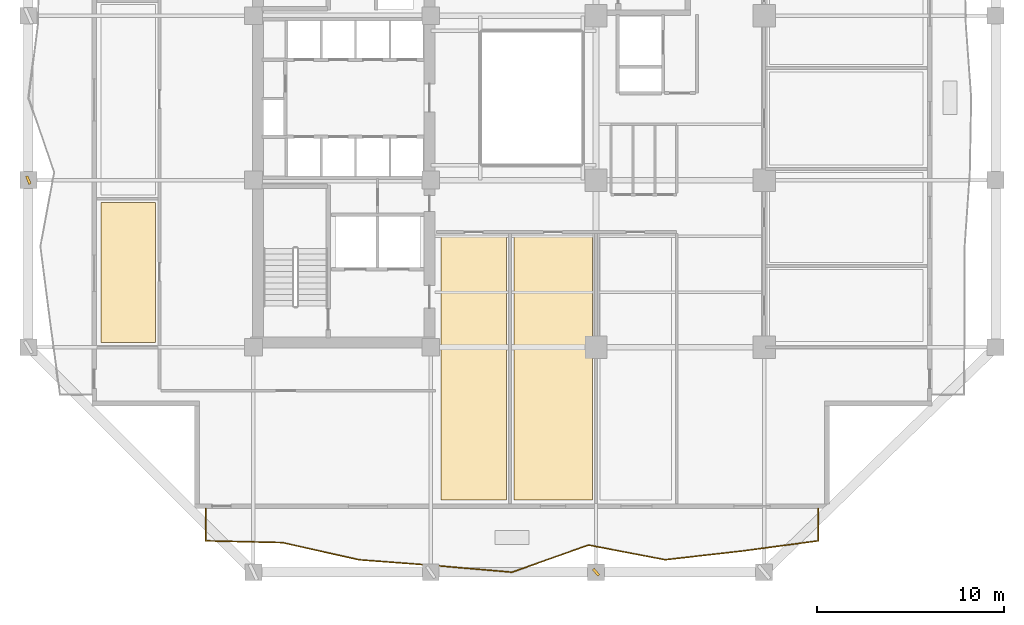
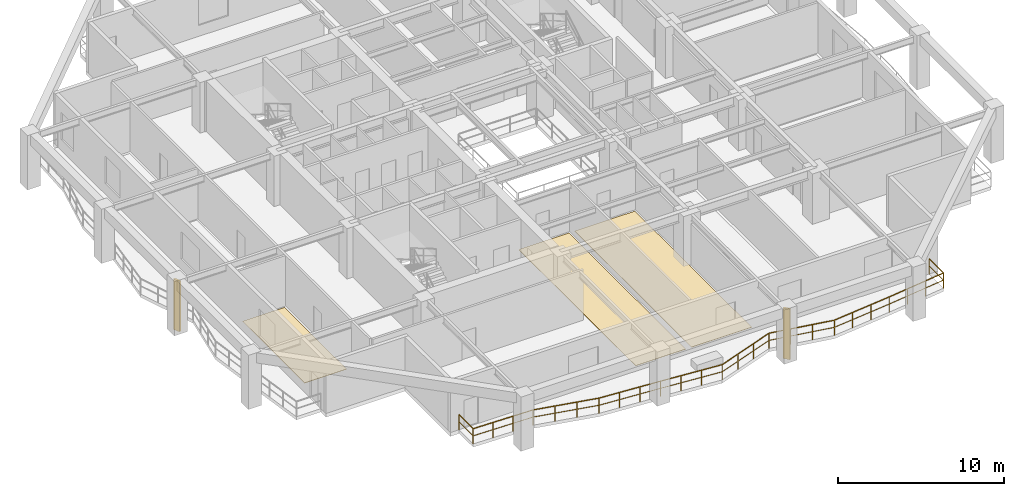
# One storey, part 8 of 13: 3 coverings, 2 shading devices, 1 railing.
"""IFC4 building model written with IfcOpenShell, lengths in metres."""

from ifc_helpers import new_model, si_unit, direction, frame, origin, origin_2d, place, context, subcontext, project, spatial, polyline, rectangle, outline, extrude, material, layer, layer_set, type_object, element, save


model = new_model("IFC4")

# Units and contexts
model_context = context("Model", 3, precision=1e-05, world=origin(), true_north=direction((0.0, 1.0)))
body_context = subcontext(model_context, "Body", "Model", "MODEL_VIEW")
ifc_project = project(units=[si_unit("LENGTHUNIT", "METRE"), si_unit("AREAUNIT", "SQUARE_METRE"), si_unit("VOLUMEUNIT", "CUBIC_METRE"), si_unit("PLANEANGLEUNIT", "RADIAN"), si_unit("MASSUNIT", "GRAM", prefix="KILO")], contexts=[model_context])

# Site, building, storey
site_placement = place(None, origin())
site = spatial("IfcSite", under=ifc_project, at=site_placement, CompositionType="ELEMENT")
building_placement = place(site_placement, origin())
building = spatial("IfcBuilding", under=site, at=building_placement, Name="Kundavana Baori Tower", CompositionType="ELEMENT")
storey_placement = place(building_placement, frame((0.0, 0.0, 58.0)))
storey = spatial("IfcBuildingStorey", under=building, at=storey_placement, Name="L13", CompositionType="ELEMENT", Elevation=58.0)

# Coverings
ifc_material_1 = material(Name="Honed Kota Stone and Terrazzo Flooring", Category="masonry")
ifc_layer = layer(ifc_material_1, 0.030029296875, Name="COV-INT-FLR")
ifc_layer_set = layer_set([ifc_layer], Name="Honed Kota Stone and Terrazzo Flooring")
covering_type = type_object("IfcCoveringType", Name="COV-INT-FLR", PredefinedType="FLOORING", material=ifc_layer_set)
covering_1_placement = place(storey_placement, origin())
element("IfcCovering", 1, at=covering_1_placement, inside=storey, type_object=covering_type, Name="L13 Room Finished Stone Flooring 1", PredefinedType="FLOORING", context=body_context, shape_type="SweptSolid", body=[
    extrude(outline(polyline([(7.280029296875, 15.5), (10.199951171875, 15.5), (10.199951171875, 23.0), (7.280029296875, 23.0), (7.280029296875, 15.5)])), origin(), (0.0, 0.0, 1.0), 0.030029296875),
])
covering_2_placement = place(storey_placement, origin())
element("IfcCovering", 2, at=covering_2_placement, inside=storey, type_object=covering_type, Name="L13 Room Finished Stone Flooring 4", PredefinedType="FLOORING", context=body_context, shape_type="SweptSolid", body=[
    extrude(outline(polyline([(25.5, 7.080078125), (29.0, 7.080078125), (29.0, 21.199951171875), (25.5, 21.199951171875), (25.5, 7.080078125)])), origin(), (0.0, 0.0, 1.0), 0.030029296875),
])
covering_3_placement = place(storey_placement, origin())
element("IfcCovering", 3, at=covering_3_placement, inside=storey, type_object=covering_type, Name="L13 Room Finished Stone Flooring 5", PredefinedType="FLOORING", context=body_context, shape_type="SweptSolid", body=[
    extrude(outline(polyline([(29.39990234375, 7.080078125), (33.60009765625, 7.080078125), (33.60009765625, 21.199951171875), (29.39990234375, 21.199951171875), (29.39990234375, 7.080078125)])), origin(), (0.0, 0.0, 1.0), 0.030029296875),
])

# Railing
ifc_material_2 = material(Name="Architectural Patinated Bronze Metalwork")
railing_type = type_object("IfcRailingType", Name="RL-BAL-1150", PredefinedType="BALUSTRADE", material=ifc_material_2)
railing_placement = place(storey_placement, frame((45.699951171875, 6.60009765625, 0.0)))
element("IfcRailing", 4, at=railing_placement, inside=storey, type_object=railing_type, Name="L13 Loggia Balcony Balustrade S", PredefinedType="BALUSTRADE", context=body_context, shape_type="SweptSolid", body=[
    extrude(rectangle(XDim=0.048095703125, YDim=0.048095703125, at=origin_2d()), frame((0.0, 0.0, 1.1259765625), z_axis=(0.0, -1.0, 0.0), x_axis=(1.0, 0.0, 0.0)), (0.0, 0.0, 1.0), 1.72021484375),
    extrude(rectangle(XDim=0.03125, YDim=0.03125, at=origin_2d()), frame((0.0, 0.0, 0.597900390625), z_axis=(0.0, -1.0, 0.0), x_axis=(1.0, 0.0, 0.0)), (0.0, 0.0, 1.0), 1.72021484375),
    extrude(rectangle(XDim=0.048095703125, YDim=0.048095703125, at=origin_2d()), frame((0.0, -1.72021484375, 1.1259765625), z_axis=(-0.991158691367, -0.132681756577, 0.0), x_axis=(0.132681756577, -0.991158691367, 0.0)), (0.0, 0.0, 1.0), 4.136474609375),
    extrude(rectangle(XDim=0.03125, YDim=0.03125, at=origin_2d()), frame((0.0, -1.72021484375, 0.597900390625), z_axis=(-0.991158691367, -0.132681756577, 0.0), x_axis=(0.132681756577, -0.991158691367, 0.0)), (0.0, 0.0, 1.0), 4.136474609375),
    extrude(rectangle(XDim=0.048095703125, YDim=0.048095703125, at=origin_2d()), frame((-4.099853515625, -2.26904296875, 1.1259765625), z_axis=(-0.993627863206, -0.112710556116, 0.0), x_axis=(0.112710556116, -0.993627863206, 0.0)), (0.0, 0.0, 1.0), 4.12646484375),
    extrude(rectangle(XDim=0.03125, YDim=0.03125, at=origin_2d()), frame((-4.099853515625, -2.26904296875, 0.597900390625), z_axis=(-0.993627863206, -0.112710556116, 0.0), x_axis=(0.112710556116, -0.993627863206, 0.0)), (0.0, 0.0, 1.0), 4.12646484375),
    extrude(rectangle(XDim=0.048095703125, YDim=0.048095703125, at=origin_2d()), frame((-8.199951171875, -2.734130859375, 1.1259765625), z_axis=(-0.98206729237, 0.188530722317, 0.0), x_axis=(-0.188530722317, -0.98206729237, 0.0)), (0.0, 0.0, 1.0), 4.175048828125),
    extrude(rectangle(XDim=0.03125, YDim=0.03125, at=origin_2d()), frame((-8.199951171875, -2.734130859375, 0.597900390625), z_axis=(-0.98206729237, 0.188530722317, 0.0), x_axis=(-0.188530722317, -0.98206729237, 0.0)), (0.0, 0.0, 1.0), 4.175048828125),
    extrude(rectangle(XDim=0.048095703125, YDim=0.048095703125, at=origin_2d()), frame((-12.300048828125, -1.947021484375, 1.1259765625), z_axis=(-0.942548083463, -0.334070517047, 0.0), x_axis=(0.334070517047, -0.942548083463, 0.0)), (0.0, 0.0, 1.0), 4.349853515625),
    extrude(rectangle(XDim=0.03125, YDim=0.03125, at=origin_2d()), frame((-12.300048828125, -1.947021484375, 0.597900390625), z_axis=(-0.942548083463, -0.334070517047, 0.0), x_axis=(0.334070517047, -0.942548083463, 0.0)), (0.0, 0.0, 1.0), 4.349853515625),
    extrude(rectangle(XDim=0.048095703125, YDim=0.048095703125, at=origin_2d()), frame((-16.39990234375, -3.400146484375, 1.1259765625), z_axis=(-0.996273017827, 0.08625586328, 0.0), x_axis=(-0.08625586328, -0.996273017827, 0.0)), (0.0, 0.0, 1.0), 4.115478515625),
    extrude(rectangle(XDim=0.03125, YDim=0.03125, at=origin_2d()), frame((-16.39990234375, -3.400146484375, 0.597900390625), z_axis=(-0.996273017827, 0.08625586328, 0.0), x_axis=(-0.08625586328, -0.996273017827, 0.0)), (0.0, 0.0, 1.0), 4.115478515625),
    extrude(rectangle(XDim=0.048095703125, YDim=0.048095703125, at=origin_2d()), frame((-20.5, -3.045166015625, 1.1259765625), z_axis=(-0.997134617999, 0.075647561682, 0.0), x_axis=(-0.075647561682, -0.997134617999, 0.0)), (0.0, 0.0, 1.0), 4.111572265625),
    extrude(rectangle(XDim=0.03125, YDim=0.03125, at=origin_2d()), frame((-20.5, -3.045166015625, 0.597900390625), z_axis=(-0.997134617999, 0.075647561682, 0.0), x_axis=(-0.075647561682, -0.997134617999, 0.0)), (0.0, 0.0, 1.0), 4.111572265625),
    extrude(rectangle(XDim=0.048095703125, YDim=0.048095703125, at=origin_2d()), frame((-24.599853515625, -2.734130859375, 1.1259765625), z_axis=(-0.975742093402, 0.218923199234, 0.0), x_axis=(-0.218923199234, -0.975742093402, 0.0)), (0.0, 0.0, 1.0), 4.2021484375),
    extrude(rectangle(XDim=0.03125, YDim=0.03125, at=origin_2d()), frame((-24.599853515625, -2.734130859375, 0.597900390625), z_axis=(-0.975742093402, 0.218923199234, 0.0), x_axis=(-0.218923199234, -0.975742093402, 0.0)), (0.0, 0.0, 1.0), 4.2021484375),
    extrude(rectangle(XDim=0.048095703125, YDim=0.048095703125, at=origin_2d()), frame((-28.699951171875, -1.814208984375, 1.1259765625), z_axis=(-0.999737329062, 0.022918832422, 0.0), x_axis=(-0.022918832422, -0.999737329062, 0.0)), (0.0, 0.0, 1.0), 4.10107421875),
    extrude(rectangle(XDim=0.03125, YDim=0.03125, at=origin_2d()), frame((-28.699951171875, -1.814208984375, 0.597900390625), z_axis=(-0.999737329062, 0.022918832422, 0.0), x_axis=(-0.022918832422, -0.999737329062, 0.0)), (0.0, 0.0, 1.0), 4.10107421875),
    extrude(rectangle(XDim=0.048095703125, YDim=0.048095703125, at=origin_2d()), frame((-32.800048828125, -1.72021484375, 1.1259765625), z_axis=(0.0, 1.0, 0.0), x_axis=(-1.0, 0.0, 0.0)), (0.0, 0.0, 1.0), 1.72021484375),
    extrude(rectangle(XDim=0.03125, YDim=0.03125, at=origin_2d()), frame((-32.800048828125, -1.72021484375, 0.597900390625), z_axis=(0.0, 1.0, 0.0), x_axis=(-1.0, 0.0, 0.0)), (0.0, 0.0, 1.0), 1.72021484375),
    extrude(rectangle(XDim=0.0419921875, YDim=0.0419921875, at=origin_2d()), origin(), (0.0, 0.0, 1.0), 1.101806640625),
    extrude(rectangle(XDim=0.0419921875, YDim=0.0419921875, at=origin_2d()), frame((0.0, -1.72021484375, 0.0)), (0.0, 0.0, 1.0), 1.101806640625),
    extrude(rectangle(XDim=0.0419921875, YDim=0.0419921875, at=origin_2d()), frame((-1.36669921875, -1.903076171875, 0.0)), (0.0, 0.0, 1.0), 1.101806640625),
    extrude(rectangle(XDim=0.0419921875, YDim=0.0419921875, at=origin_2d()), frame((-2.733154296875, -2.086181640625, 0.0)), (0.0, 0.0, 1.0), 1.101806640625),
    extrude(rectangle(XDim=0.0419921875, YDim=0.0419921875, at=origin_2d()), frame((-4.099853515625, -2.26904296875, 0.0)), (0.0, 0.0, 1.0), 1.101806640625),
    extrude(rectangle(XDim=0.0419921875, YDim=0.0419921875, at=origin_2d()), frame((-5.466552734375, -2.424072265625, 0.0)), (0.0, 0.0, 1.0), 1.101806640625),
    extrude(rectangle(XDim=0.0419921875, YDim=0.0419921875, at=origin_2d()), frame((-6.833251953125, -2.5791015625, 0.0)), (0.0, 0.0, 1.0), 1.101806640625),
    extrude(rectangle(XDim=0.0419921875, YDim=0.0419921875, at=origin_2d()), frame((-8.199951171875, -2.734130859375, 0.0)), (0.0, 0.0, 1.0), 1.101806640625),
    extrude(rectangle(XDim=0.0419921875, YDim=0.0419921875, at=origin_2d()), frame((-9.566650390625, -2.4716796875, 0.0)), (0.0, 0.0, 1.0), 1.101806640625),
    extrude(rectangle(XDim=0.0419921875, YDim=0.0419921875, at=origin_2d()), frame((-10.933349609375, -2.20947265625, 0.0)), (0.0, 0.0, 1.0), 1.101806640625),
    extrude(rectangle(XDim=0.0419921875, YDim=0.0419921875, at=origin_2d()), frame((-12.300048828125, -1.947021484375, 0.0)), (0.0, 0.0, 1.0), 1.101806640625),
    extrude(rectangle(XDim=0.0419921875, YDim=0.0419921875, at=origin_2d()), frame((-13.666748046875, -2.431396484375, 0.0)), (0.0, 0.0, 1.0), 1.101806640625),
    extrude(rectangle(XDim=0.0419921875, YDim=0.0419921875, at=origin_2d()), frame((-15.033203125, -2.915771484375, 0.0)), (0.0, 0.0, 1.0), 1.101806640625),
    extrude(rectangle(XDim=0.0419921875, YDim=0.0419921875, at=origin_2d()), frame((-16.39990234375, -3.400146484375, 0.0)), (0.0, 0.0, 1.0), 1.101806640625),
    extrude(rectangle(XDim=0.0419921875, YDim=0.0419921875, at=origin_2d()), frame((-17.7666015625, -3.28173828125, 0.0)), (0.0, 0.0, 1.0), 1.101806640625),
    extrude(rectangle(XDim=0.0419921875, YDim=0.0419921875, at=origin_2d()), frame((-19.13330078125, -3.16357421875, 0.0)), (0.0, 0.0, 1.0), 1.101806640625),
    extrude(rectangle(XDim=0.0419921875, YDim=0.0419921875, at=origin_2d()), frame((-20.5, -3.045166015625, 0.0)), (0.0, 0.0, 1.0), 1.101806640625),
    extrude(rectangle(XDim=0.0419921875, YDim=0.0419921875, at=origin_2d()), frame((-21.86669921875, -2.94140625, 0.0)), (0.0, 0.0, 1.0), 1.101806640625),
    extrude(rectangle(XDim=0.0419921875, YDim=0.0419921875, at=origin_2d()), frame((-23.233154296875, -2.837890625, 0.0)), (0.0, 0.0, 1.0), 1.101806640625),
    extrude(rectangle(XDim=0.0419921875, YDim=0.0419921875, at=origin_2d()), frame((-24.599853515625, -2.734130859375, 0.0)), (0.0, 0.0, 1.0), 1.101806640625),
    extrude(rectangle(XDim=0.0419921875, YDim=0.0419921875, at=origin_2d()), frame((-25.966552734375, -2.427490234375, 0.0)), (0.0, 0.0, 1.0), 1.101806640625),
    extrude(rectangle(XDim=0.0419921875, YDim=0.0419921875, at=origin_2d()), frame((-27.333251953125, -2.120849609375, 0.0)), (0.0, 0.0, 1.0), 1.101806640625),
    extrude(rectangle(XDim=0.0419921875, YDim=0.0419921875, at=origin_2d()), frame((-28.699951171875, -1.814208984375, 0.0)), (0.0, 0.0, 1.0), 1.101806640625),
    extrude(rectangle(XDim=0.0419921875, YDim=0.0419921875, at=origin_2d()), frame((-30.066650390625, -1.782958984375, 0.0)), (0.0, 0.0, 1.0), 1.101806640625),
    extrude(rectangle(XDim=0.0419921875, YDim=0.0419921875, at=origin_2d()), frame((-31.433349609375, -1.75146484375, 0.0)), (0.0, 0.0, 1.0), 1.101806640625),
    extrude(rectangle(XDim=0.0419921875, YDim=0.0419921875, at=origin_2d()), frame((-32.800048828125, -1.72021484375, 0.0)), (0.0, 0.0, 1.0), 1.101806640625),
    extrude(rectangle(XDim=0.0419921875, YDim=0.0419921875, at=origin_2d()), frame((-32.800048828125, 0.0, 0.0)), (0.0, 0.0, 1.0), 1.101806640625),
])

# Shading devices
ifc_material_3 = material(Name="Architectural Patinated Bronze Metalwork")
shading_device_type = type_object("IfcShadingDeviceType", Name="SHD-LOUV-450", PredefinedType="SHUTTER", material=ifc_material_3)
for number, where, z_axis, x_axis, name in (
    (5, (33.800048828125, 3.199951171875, 0.0), (0.0, 0.0, 1.0), (0.748492942249, 0.663142756428, 0.0), "L13 Sweeping Dholpur Sandstone Facade Fin 3"),
    (6, (3.39990234375, 24.199951171875, 0.0), (0.0, 0.0, 1.0), (0.920641188263, 0.390409787882, 0.0), "L13 Sweeping Dholpur Sandstone Facade Fin 6"),
):
    element("IfcShadingDevice", number, at=place(storey_placement, frame(where, z_axis=z_axis, x_axis=x_axis)), inside=storey, type_object=shading_device_type, Name=name, PredefinedType="SHUTTER", context=body_context, shape_type="SweptSolid", body=[
        extrude(rectangle(XDim=0.139892578125, YDim=0.449951171875, at=origin_2d()), origin(), (0.0, 0.0, 1.0), 3.719970703125),
    ])

save(model, "model.ifc")
